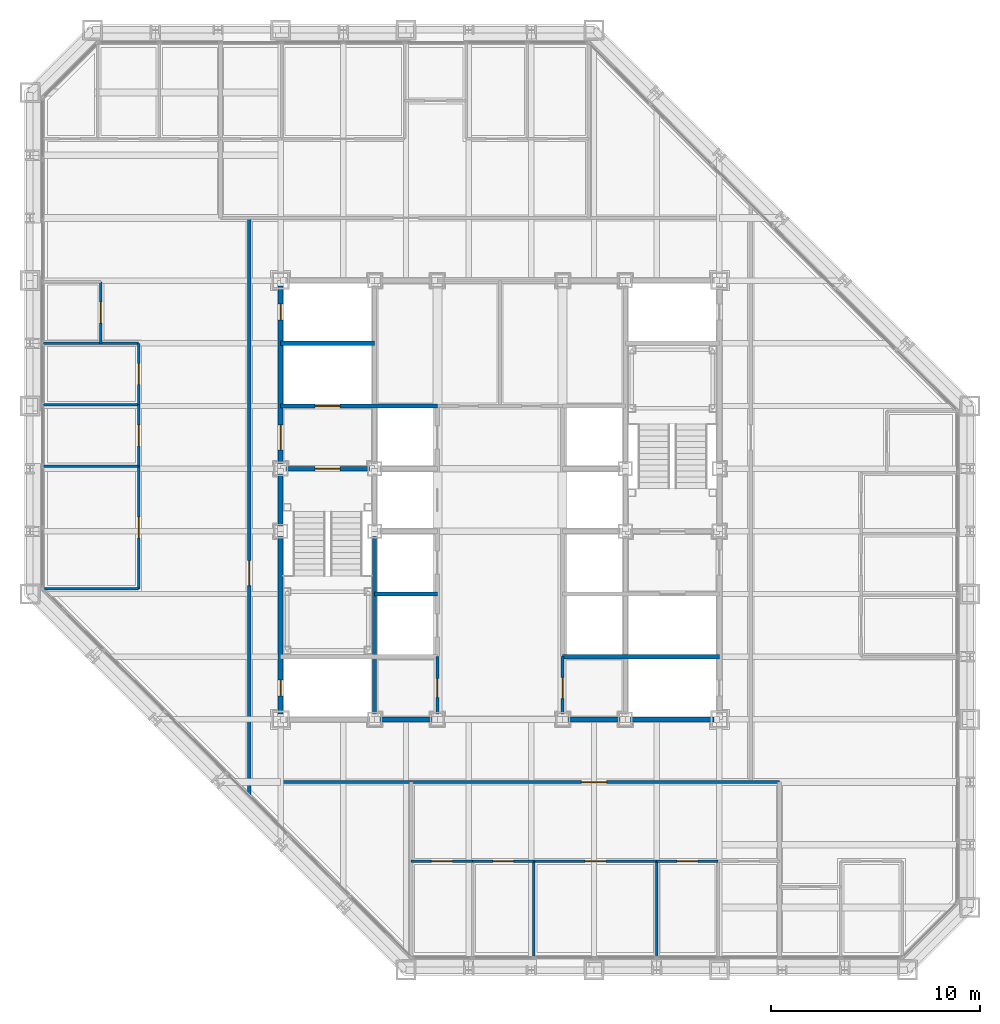
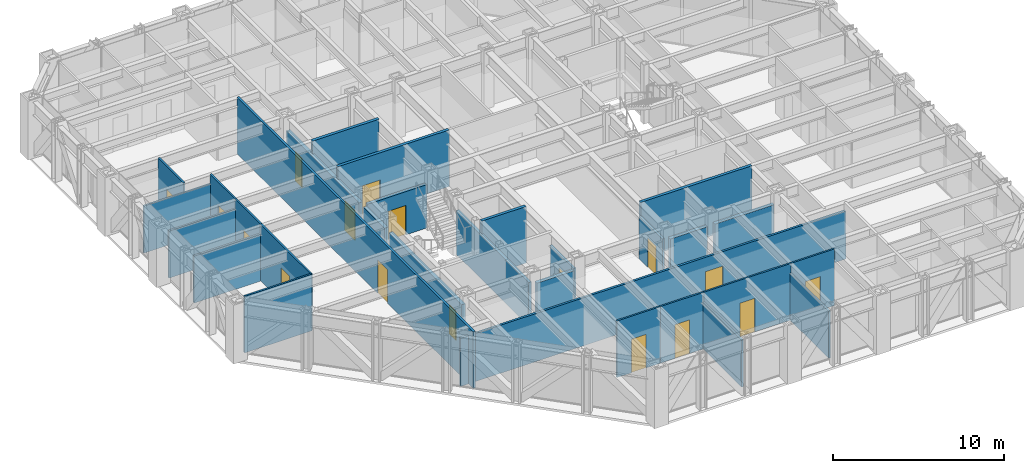
# One storey, part 10 of 16: 30 walls, 17 doors, 17 openings.
"""IFC4 building model written with IfcOpenShell, lengths in metres."""

from ifc_helpers import new_model, si_unit, direction, frame, frame_2d, origin, place, context, subcontext, project, spatial, rectangle, extrude, material, layer, layer_set, type_object, element, fill, save


model = new_model("IFC4")

# Units and contexts
model_context = context("Model", 3, precision=1e-05, world=origin(), true_north=direction((0.0, 1.0)))
body_context = subcontext(model_context, "Body", "Model", "MODEL_VIEW")
ifc_project = project(units=[si_unit("LENGTHUNIT", "METRE"), si_unit("AREAUNIT", "SQUARE_METRE"), si_unit("VOLUMEUNIT", "CUBIC_METRE"), si_unit("PLANEANGLEUNIT", "RADIAN"), si_unit("MASSUNIT", "GRAM", prefix="KILO")], contexts=[model_context])

# Site, building, storey
site_placement = place(None, origin())
site = spatial("IfcSite", under=ifc_project, at=site_placement, CompositionType="ELEMENT")
building_placement = place(site_placement, origin())
building = spatial("IfcBuilding", under=site, at=building_placement, Name="Chuquiago Exchange Tower", CompositionType="ELEMENT")
storey_placement = place(building_placement, frame((0.0, 0.0, 111.0)))
storey = spatial("IfcBuildingStorey", under=building, at=storey_placement, Name="L23", CompositionType="ELEMENT", Elevation=111.0)

# Wall, opening, door
ifc_material_1 = material(Name="Concrete masonry, fully grouted", Category="masonry")
ifc_layer_1 = layer(ifc_material_1, 0.25)
ifc_layer_set_1 = layer_set([ifc_layer_1], Name="W1 core wall 250")
wall_type_1 = type_object("IfcWallType", Name="W1 core wall 250", PredefinedType="SOLIDWALL", material=ifc_layer_set_1)
wall_1_placement = place(storey_placement, frame((12.0, 12.25, 0.0), z_axis=(0.0, 0.0, 1.0), x_axis=(0.0, 1.0, 0.0)))
wall_1 = element("IfcWall", 1, at=wall_1_placement, inside=storey, type_object=wall_type_1, Name="CW-L23-00-0", PredefinedType="SOLIDWALL", context=body_context, shape_type="SweptSolid", body=[
    extrude(rectangle(XDim=8.5, YDim=0.25, at=frame_2d((4.25, 0.0))), origin(), (0.0, 0.0, 1.0), 3.11279296875),
])
opening_1_placement = place(wall_1_placement, frame((0.875, 0.0, 0.0)))
opening_1 = element("IfcOpeningElement", 2, at=opening_1_placement, cuts=wall_1, Name="Opening L23-007", PredefinedType="OPENING", context=body_context, shape_type="SweptSolid", body=[
    extrude(rectangle(XDim=0.75, YDim=2.10009765625, at=frame_2d((0.375, 1.050048828125))), frame((0.0, 0.135009765625, 0.0), z_axis=(0.0, -1.0, 0.0), x_axis=(1.0, 0.0, 0.0)), (0.0, 0.0, 1.0), 0.27001953125),
])
ifc_material_2 = material(Name="Steel door, painted", Category="steel")
door_type_1 = type_object("IfcDoorType", Name="D6 riser access door 750x2100", OperationType="SINGLE_SWING_LEFT", PredefinedType="DOOR", material=ifc_material_2)
door_1_placement = place(opening_1_placement, frame((0.75, 0.0, 0.0), z_axis=(0.0, 0.0, 1.0), x_axis=(-1.0, 0.0, 0.0)))
door_1 = element("IfcDoor", 3, at=door_1_placement, inside=storey, type_object=door_type_1, Name="Riser RW1 door", OperationType="SINGLE_SWING_RIGHT", OverallHeight=2.10009765625, OverallWidth=0.75, PredefinedType="DOOR", context=body_context, shape_type="SweptSolid", body=[
    extrude(rectangle(XDim=0.75, YDim=2.10009765625, at=frame_2d((0.375, 1.050048828125))), frame((0.0, 0.02490234375, 0.0), z_axis=(0.0, -1.0, 0.0), x_axis=(1.0, 0.0, 0.0)), (0.0, 0.0, 1.0), 0.050048828125),
])
fill(opening_1, door_1)

# Wall
wall_2_placement = place(storey_placement, frame((12.0, 21.25, 0.0), z_axis=(0.0, 0.0, 1.0), x_axis=(0.0, 1.0, 0.0)))
element("IfcWall", 4, at=wall_2_placement, inside=storey, type_object=wall_type_1, Name="CW-L23-00-1", PredefinedType="SOLIDWALL", context=body_context, shape_type="SweptSolid", body=[
    extrude(rectangle(XDim=2.5, YDim=0.25, at=frame_2d((1.25, 0.0))), origin(), (0.0, 0.0, 1.0), 3.11279296875),
])

# Wall, openings, doors
wall_3_placement = place(storey_placement, frame((12.0, 24.25, 0.0), z_axis=(0.0, 0.0, 1.0), x_axis=(0.0, 1.0, 0.0)))
wall_3 = element("IfcWall", 5, at=wall_3_placement, inside=storey, type_object=wall_type_1, Name="CW-L23-00-2", PredefinedType="SOLIDWALL", context=body_context, shape_type="SweptSolid", body=[
    extrude(rectangle(XDim=8.5, YDim=0.25, at=frame_2d((4.25, 0.0))), origin(), (0.0, 0.0, 1.0), 3.11279296875),
])
opening_2_placement = place(wall_3_placement, frame((0.64990234375, 0.0, 0.0)))
opening_2 = element("IfcOpeningElement", 6, at=opening_2_placement, cuts=wall_3, Name="Opening L23-002", PredefinedType="OPENING", context=body_context, shape_type="SweptSolid", body=[
    extrude(rectangle(XDim=1.199951171875, YDim=2.10009765625, at=frame_2d((0.60009765625, 1.050048828125))), frame((0.0, 0.135009765625, 0.0), z_axis=(0.0, -1.0, 0.0), x_axis=(1.0, 0.0, 0.0)), (0.0, 0.0, 1.0), 0.27001953125),
])
opening_3_placement = place(wall_3_placement, frame((6.875, 0.0, 0.0)))
opening_3 = element("IfcOpeningElement", 7, at=opening_3_placement, cuts=wall_3, Name="Opening L23-008", PredefinedType="OPENING", context=body_context, shape_type="SweptSolid", body=[
    extrude(rectangle(XDim=0.75, YDim=2.10009765625, at=frame_2d((0.375, 1.050048828125))), frame((0.0, 0.135009765625, 0.0), z_axis=(0.0, -1.0, 0.0), x_axis=(1.0, 0.0, 0.0)), (0.0, 0.0, 1.0), 0.27001953125),
])
ifc_material_3 = material(Name="Steel door, painted", Category="steel")
door_type_2 = type_object("IfcDoorType", Name="D5 firefighting lobby door 1200x2100", OperationType="SINGLE_SWING_LEFT", PredefinedType="DOOR", material=ifc_material_3)
door_2_placement = place(opening_2_placement, frame((1.199951171875, 0.0, 0.0), z_axis=(0.0, 0.0, 1.0), x_axis=(-1.0, 0.0, 0.0)))
door_2 = element("IfcDoor", 8, at=door_2_placement, inside=storey, type_object=door_type_2, Name="Firefighting lobby 1 door", OperationType="SINGLE_SWING_RIGHT", OverallHeight=2.10009765625, OverallWidth=1.199951171875, PredefinedType="DOOR", context=body_context, shape_type="SweptSolid", body=[
    extrude(rectangle(XDim=1.199951171875, YDim=2.10009765625, at=frame_2d((0.60009765625, 1.050048828125))), frame((0.0, 0.02490234375, 0.0), z_axis=(0.0, -1.0, 0.0), x_axis=(1.0, 0.0, 0.0)), (0.0, 0.0, 1.0), 0.050048828125),
])
fill(opening_2, door_2)
door_3_placement = place(opening_3_placement, frame((0.75, 0.0, 0.0), z_axis=(0.0, 0.0, 1.0), x_axis=(-1.0, 0.0, 0.0)))
door_3 = element("IfcDoor", 9, at=door_3_placement, inside=storey, type_object=door_type_1, Name="Riser RW2 door", OperationType="SINGLE_SWING_LEFT", OverallHeight=2.10009765625, OverallWidth=0.75, PredefinedType="DOOR", context=body_context, shape_type="SweptSolid", body=[
    extrude(rectangle(XDim=0.75, YDim=2.10009765625, at=frame_2d((0.375, 1.050048828125))), frame((0.0, 0.02490234375, 0.0), z_axis=(0.0, -1.0, 0.0), x_axis=(1.0, 0.0, 0.0)), (0.0, 0.0, 1.0), 0.050048828125),
])
fill(opening_3, door_3)

# Walls
for number, where, z_axis, x_axis, name in (
    (10, (16.75, 12.0, 0.0), (0.0, 0.0, 1.0), (1.0, 0.0, 0.0), "CW-L23-01-1"),
    (11, (25.75, 12.0, 0.0), (0.0, 0.0, 1.0), (1.0, 0.0, 0.0), "CW-L23-02-0"),
):
    element("IfcWall", number, at=place(storey_placement, frame(where, z_axis=z_axis, x_axis=x_axis)), inside=storey, type_object=wall_type_1, Name=name, PredefinedType="SOLIDWALL", context=body_context, shape_type="SweptSolid", body=[
        extrude(rectangle(XDim=2.5, YDim=0.25, at=frame_2d((1.25, 0.0))), origin(), (0.0, 0.0, 1.0), 3.181396484375),
    ])
wall_4_placement = place(storey_placement, frame((28.75, 12.0, 0.0), z_axis=(0.0, 0.0, 1.0), x_axis=(1.0, 0.0, 0.0)))
element("IfcWall", 12, at=wall_4_placement, inside=storey, type_object=wall_type_1, Name="CW-L23-02-1", PredefinedType="SOLIDWALL", context=body_context, shape_type="SweptSolid", body=[
    extrude(rectangle(XDim=4.0, YDim=0.25, at=frame_2d((2.0, 0.0))), origin(), (0.0, 0.0, 1.0), 3.181396484375),
])

# Wall, opening, door
ifc_material_4 = material(Name="Gypsum board on steel studs, acoustic insulation", Category="steel")
ifc_layer_2 = layer(ifc_material_4, 0.14990234375)
ifc_layer_set_2 = layer_set([ifc_layer_2], Name="W11 corridor wall 150")
wall_type_2 = type_object("IfcWallType", Name="W11 corridor wall 150", PredefinedType="PARTITIONING", material=ifc_layer_set_2)
wall_5_placement = place(storey_placement, frame((9.885498046875, 9.0, 0.0), z_axis=(0.0, 0.0, 1.0), x_axis=(1.0, 0.0, 0.0)))
wall_5 = element("IfcWall", 13, at=wall_5_placement, inside=storey, type_object=wall_type_2, Name="PW-L23-CS", PredefinedType="PARTITIONING", context=body_context, shape_type="SweptSolid", body=[
    extrude(rectangle(XDim=25.990234375, YDim=0.14990234375, at=frame_2d((12.9951171875, 0.0))), origin(), (0.0, 0.0, 1.0), 3.427734375),
])
opening_4_placement = place(wall_5_placement, frame((16.514404296875, 0.0, 0.0)))
opening_4 = element("IfcOpeningElement", 14, at=opening_4_placement, cuts=wall_5, Name="Opening L23-042", PredefinedType="OPENING", context=body_context, shape_type="SweptSolid", body=[
    extrude(rectangle(XDim=1.199951171875, YDim=2.39990234375, at=frame_2d((0.60009765625, 1.199951171875))), frame((0.0, 0.0849609375, 0.0), z_axis=(0.0, -1.0, 0.0), x_axis=(1.0, 0.0, 0.0)), (0.0, 0.0, 1.0), 0.169921875),
])
ifc_material_5 = material(Name="Timber door, laminate faced", Category="wood")
door_type_3 = type_object("IfcDoorType", Name="D13 suite entrance door 1200x2400", OperationType="SINGLE_SWING_LEFT", PredefinedType="DOOR", material=ifc_material_5)
door_4_placement = place(opening_4_placement, frame((1.199951171875, 0.0, 0.0), z_axis=(0.0, 0.0, 1.0), x_axis=(-1.0, 0.0, 0.0)))
door_4 = element("IfcDoor", 15, at=door_4_placement, inside=storey, type_object=door_type_3, Name="South suite entrance door", OperationType="SINGLE_SWING_LEFT", OverallHeight=2.39990234375, OverallWidth=1.199951171875, PredefinedType="DOOR", context=body_context, shape_type="SweptSolid", body=[
    extrude(rectangle(XDim=1.199951171875, YDim=2.39990234375, at=frame_2d((0.60009765625, 1.199951171875))), frame((0.0, 0.02490234375, 0.0), z_axis=(0.0, -1.0, 0.0), x_axis=(1.0, 0.0, 0.0)), (0.0, 0.0, 1.0), 0.050048828125),
])
fill(opening_4, door_4)

wall_6_placement = place(storey_placement, frame((10.5, 8.385498046875, 0.0), z_axis=(0.0, 0.0, 1.0), x_axis=(0.0, 1.0, 0.0)))
wall_6 = element("IfcWall", 16, at=wall_6_placement, inside=storey, type_object=wall_type_2, Name="PW-L23-CW", PredefinedType="PARTITIONING", context=body_context, shape_type="SweptSolid", body=[
    extrude(rectangle(XDim=27.614501953125, YDim=0.14990234375, at=frame_2d((13.80712890625, 0.0))), origin(), (0.0, 0.0, 1.0), 4.0400390625),
])
opening_5_placement = place(wall_6_placement, frame((10.014404296875, 0.0, 0.0)))
opening_5 = element("IfcOpeningElement", 17, at=opening_5_placement, cuts=wall_6, Name="Opening L23-044", PredefinedType="OPENING", context=body_context, shape_type="SweptSolid", body=[
    extrude(rectangle(XDim=1.199951171875, YDim=2.39990234375, at=frame_2d((0.60009765625, 1.199951171875))), frame((0.0, 0.0849609375, 0.0), z_axis=(0.0, -1.0, 0.0), x_axis=(1.0, 0.0, 0.0)), (0.0, 0.0, 1.0), 0.169921875),
])
door_5_placement = place(opening_5_placement, origin())
door_5 = element("IfcDoor", 18, at=door_5_placement, inside=storey, type_object=door_type_3, Name="West suite entrance door", OperationType="SINGLE_SWING_LEFT", OverallHeight=2.39990234375, OverallWidth=1.199951171875, PredefinedType="DOOR", context=body_context, shape_type="SweptSolid", body=[
    extrude(rectangle(XDim=1.199951171875, YDim=2.39990234375, at=frame_2d((0.60009765625, 1.199951171875))), frame((0.0, 0.02490234375, 0.0), z_axis=(0.0, -1.0, 0.0), x_axis=(1.0, 0.0, 0.0)), (0.0, 0.0, 1.0), 0.050048828125),
])
fill(opening_5, door_5)

# Wall
ifc_material_6 = material(Name="Concrete masonry, fully grouted", Category="masonry")
ifc_layer_3 = layer(ifc_material_6, 0.199951171875)
ifc_layer_set_3 = layer_set([ifc_layer_3], Name="W2 shaft wall 200")
wall_type_3 = type_object("IfcWallType", Name="W2 shaft wall 200", PredefinedType="SOLIDWALL", material=ifc_layer_set_3)
wall_7_placement = place(storey_placement, frame((25.5, 15.0, 0.0), z_axis=(0.0, 0.0, 1.0), x_axis=(1.0, 0.0, 0.0)))
element("IfcWall", 19, at=wall_7_placement, inside=storey, type_object=wall_type_3, Name="CW-L23-04-0", PredefinedType="SOLIDWALL", context=body_context, shape_type="SweptSolid", body=[
    extrude(rectangle(XDim=7.5, YDim=0.199951171875, at=frame_2d((3.75, 0.0))), origin(), (0.0, 0.0, 1.0), 4.0400390625),
])

# Wall, opening, door
wall_8_placement = place(storey_placement, frame((12.25, 24.0, 0.0), z_axis=(0.0, 0.0, 1.0), x_axis=(1.0, 0.0, 0.0)))
wall_8 = element("IfcWall", 20, at=wall_8_placement, inside=storey, type_object=wall_type_3, Name="CW-L23-05-0", PredefinedType="SOLIDWALL", context=body_context, shape_type="SweptSolid", body=[
    extrude(rectangle(XDim=4.0, YDim=0.199951171875, at=frame_2d((2.0, 0.0))), origin(), (0.0, 0.0, 1.0), 3.090087890625),
])
opening_6_placement = place(wall_8_placement, frame((1.39990234375, 0.0, 0.0)))
opening_6 = element("IfcOpeningElement", 21, at=opening_6_placement, cuts=wall_8, Name="Opening L23-001", PredefinedType="OPENING", context=body_context, shape_type="SweptSolid", body=[
    extrude(rectangle(XDim=1.199951171875, YDim=2.10009765625, at=frame_2d((0.60009765625, 1.050048828125))), frame((0.0, 0.10986328125, 0.0), z_axis=(0.0, -1.0, 0.0), x_axis=(1.0, 0.0, 0.0)), (0.0, 0.0, 1.0), 0.219970703125),
])
ifc_material_7 = material(Name="Steel door, painted", Category="steel")
door_type_4 = type_object("IfcDoorType", Name="D4 stair door 1200x2100", OperationType="SINGLE_SWING_LEFT", PredefinedType="DOOR", material=ifc_material_7)
door_6_placement = place(opening_6_placement, frame((1.199951171875, 0.0, 0.0), z_axis=(0.0, 0.0, 1.0), x_axis=(-1.0, 0.0, 0.0)))
door_6 = element("IfcDoor", 22, at=door_6_placement, inside=storey, type_object=door_type_4, Name="Stair ST1 door", OperationType="SINGLE_SWING_RIGHT", OverallHeight=2.10009765625, OverallWidth=1.199951171875, PredefinedType="DOOR", context=body_context, shape_type="SweptSolid", body=[
    extrude(rectangle(XDim=1.199951171875, YDim=2.10009765625, at=frame_2d((0.60009765625, 1.050048828125))), frame((0.0, 0.02490234375, 0.0), z_axis=(0.0, -1.0, 0.0), x_axis=(1.0, 0.0, 0.0)), (0.0, 0.0, 1.0), 0.050048828125),
])
fill(opening_6, door_6)

wall_9_placement = place(storey_placement, frame((12.0, 27.0, 0.0), z_axis=(0.0, 0.0, 1.0), x_axis=(1.0, 0.0, 0.0)))
wall_9 = element("IfcWall", 23, at=wall_9_placement, inside=storey, type_object=wall_type_3, Name="CW-L23-07-0", PredefinedType="SOLIDWALL", context=body_context, shape_type="SweptSolid", body=[
    extrude(rectangle(XDim=7.5, YDim=0.199951171875, at=frame_2d((3.75, 0.0))), origin(), (0.0, 0.0, 1.0), 4.0400390625),
])
opening_7_placement = place(wall_9_placement, frame((1.64990234375, 0.0, 0.0)))
opening_7 = element("IfcOpeningElement", 24, at=opening_7_placement, cuts=wall_9, Name="Opening L23-005", PredefinedType="OPENING", context=body_context, shape_type="SweptSolid", body=[
    extrude(rectangle(XDim=1.199951171875, YDim=2.10009765625, at=frame_2d((0.60009765625, 1.050048828125))), frame((0.0, 0.10986328125, 0.0), z_axis=(0.0, -1.0, 0.0), x_axis=(1.0, 0.0, 0.0)), (0.0, 0.0, 1.0), 0.219970703125),
])
ifc_material_8 = material(Name="Stainless steel lift landing door", Category="steel")
door_type_5 = type_object("IfcDoorType", Name="LD2 firefighting lift landing door 1200x2100", OperationType="DOUBLE_DOOR_SLIDING", PredefinedType="DOOR", material=ifc_material_8)
door_7_placement = place(opening_7_placement, origin())
door_7 = element("IfcDoor", 25, at=door_7_placement, inside=storey, type_object=door_type_5, Name="Firefighting lift FL1 landing door", OperationType="DOUBLE_DOOR_SLIDING", OverallHeight=2.10009765625, OverallWidth=1.199951171875, PredefinedType="DOOR", context=body_context, shape_type="SweptSolid", body=[
    extrude(rectangle(XDim=1.199951171875, YDim=2.10009765625, at=frame_2d((0.60009765625, 1.050048828125))), frame((0.0, 0.02490234375, 0.0), z_axis=(0.0, -1.0, 0.0), x_axis=(1.0, 0.0, 0.0)), (0.0, 0.0, 1.0), 0.050048828125),
])
fill(opening_7, door_7)

# Walls
wall_10_placement = place(storey_placement, frame((12.0, 30.0, 0.0), z_axis=(0.0, 0.0, 1.0), x_axis=(1.0, 0.0, 0.0)))
element("IfcWall", 26, at=wall_10_placement, inside=storey, type_object=wall_type_3, Name="CW-L23-09-0", PredefinedType="SOLIDWALL", context=body_context, shape_type="SweptSolid", body=[
    extrude(rectangle(XDim=4.5, YDim=0.199951171875, at=frame_2d((2.25, 0.0))), origin(), (0.0, 0.0, 1.0), 4.0400390625),
])
wall_11_placement = place(storey_placement, frame((16.5, 12.25, 0.0), z_axis=(0.0, 0.0, 1.0), x_axis=(0.0, 1.0, 0.0)))
element("IfcWall", 27, at=wall_11_placement, inside=storey, type_object=wall_type_3, Name="CW-L23-13-0", PredefinedType="SOLIDWALL", context=body_context, shape_type="SweptSolid", body=[
    extrude(rectangle(XDim=8.5, YDim=0.199951171875, at=frame_2d((4.25, 0.0))), origin(), (0.0, 0.0, 1.0), 3.11279296875),
])
wall_12_placement = place(storey_placement, frame((16.5, 18.0, 0.0), z_axis=(0.0, 0.0, 1.0), x_axis=(1.0, 0.0, 0.0)))
element("IfcWall", 28, at=wall_12_placement, inside=storey, type_object=wall_type_3, Name="CW-L23-14-0", PredefinedType="SOLIDWALL", context=body_context, shape_type="SweptSolid", body=[
    extrude(rectangle(XDim=3.0, YDim=0.199951171875, at=frame_2d((1.5, 0.0))), origin(), (0.0, 0.0, 1.0), 4.0400390625),
])

# Wall, opening, door
ifc_material_9 = material(Name="Gypsum board on steel studs", Category="steel")
ifc_layer_4 = layer(ifc_material_9, 0.14990234375)
ifc_layer_set_4 = layer_set([ifc_layer_4], Name="W3 core partition 150")
wall_type_4 = type_object("IfcWallType", Name="W3 core partition 150", PredefinedType="PARTITIONING", material=ifc_layer_set_4)
wall_13_placement = place(storey_placement, frame((19.5, 12.25, 0.0), z_axis=(0.0, 0.0, 1.0), x_axis=(0.0, 1.0, 0.0)))
wall_13 = element("IfcWall", 29, at=wall_13_placement, inside=storey, type_object=wall_type_4, Name="CW-L23-18-0", PredefinedType="PARTITIONING", context=body_context, shape_type="SweptSolid", body=[
    extrude(rectangle(XDim=2.75, YDim=0.14990234375, at=frame_2d((1.375, 0.0))), origin(), (0.0, 0.0, 1.0), 3.064697265625),
])
opening_8_placement = place(wall_13_placement, frame((0.800048828125, 0.0, 0.0)))
opening_8 = element("IfcOpeningElement", 30, at=opening_8_placement, cuts=wall_13, Name="Opening L23-014", PredefinedType="OPENING", context=body_context, shape_type="SweptSolid", body=[
    extrude(rectangle(XDim=0.89990234375, YDim=2.10009765625, at=frame_2d((0.449951171875, 1.050048828125))), frame((0.0, 0.0849609375, 0.0), z_axis=(0.0, -1.0, 0.0), x_axis=(1.0, 0.0, 0.0)), (0.0, 0.0, 1.0), 0.169921875),
])
ifc_material_10 = material(Name="Timber door, laminate faced", Category="wood")
door_type_6 = type_object("IfcDoorType", Name="D7 toilet door 900x2100", OperationType="SINGLE_SWING_LEFT", PredefinedType="DOOR", material=ifc_material_10)
door_8_placement = place(opening_8_placement, frame((0.89990234375, 0.0, 0.0), z_axis=(0.0, 0.0, 1.0), x_axis=(-1.0, 0.0, 0.0)))
door_8 = element("IfcDoor", 31, at=door_8_placement, inside=storey, type_object=door_type_6, Name="Cleaner door", OperationType="SINGLE_SWING_RIGHT", OverallHeight=2.10009765625, OverallWidth=0.89990234375, PredefinedType="DOOR", context=body_context, shape_type="SweptSolid", body=[
    extrude(rectangle(XDim=0.89990234375, YDim=2.10009765625, at=frame_2d((0.449951171875, 1.050048828125))), frame((0.0, 0.02490234375, 0.0), z_axis=(0.0, -1.0, 0.0), x_axis=(1.0, 0.0, 0.0)), (0.0, 0.0, 1.0), 0.050048828125),
])
fill(opening_8, door_8)

wall_14_placement = place(storey_placement, frame((25.5, 12.25, 0.0), z_axis=(0.0, 0.0, 1.0), x_axis=(0.0, 1.0, 0.0)))
wall_14 = element("IfcWall", 32, at=wall_14_placement, inside=storey, type_object=wall_type_4, Name="CW-L23-21-0", PredefinedType="PARTITIONING", context=body_context, shape_type="SweptSolid", body=[
    extrude(rectangle(XDim=2.75, YDim=0.14990234375, at=frame_2d((1.375, 0.0))), origin(), (0.0, 0.0, 1.0), 3.064697265625),
])
opening_9_placement = place(wall_14_placement, frame((0.75, 0.0, 0.0)))
opening_9 = element("IfcOpeningElement", 33, at=opening_9_placement, cuts=wall_14, Name="Opening L23-013", PredefinedType="OPENING", context=body_context, shape_type="SweptSolid", body=[
    extrude(rectangle(XDim=1.0, YDim=2.10009765625, at=frame_2d((0.5, 1.050048828125))), frame((0.0, 0.0849609375, 0.0), z_axis=(0.0, -1.0, 0.0), x_axis=(1.0, 0.0, 0.0)), (0.0, 0.0, 1.0), 0.169921875),
])
ifc_material_11 = material(Name="Timber door, laminate faced", Category="wood")
door_type_7 = type_object("IfcDoorType", Name="D8 accessible toilet door 1000x2100", OperationType="SLIDING_TO_LEFT", PredefinedType="DOOR", material=ifc_material_11)
door_9_placement = place(opening_9_placement, origin())
door_9 = element("IfcDoor", 34, at=door_9_placement, inside=storey, type_object=door_type_7, Name="Accessible WC door", OperationType="SLIDING_TO_LEFT", OverallHeight=2.10009765625, OverallWidth=1.0, PredefinedType="DOOR", context=body_context, shape_type="SweptSolid", body=[
    extrude(rectangle(XDim=1.0, YDim=2.10009765625, at=frame_2d((0.5, 1.050048828125))), frame((0.0, 0.02490234375, 0.0), z_axis=(0.0, -1.0, 0.0), x_axis=(1.0, 0.0, 0.0)), (0.0, 0.0, 1.0), 0.050048828125),
])
fill(opening_9, door_9)

# Walls
ifc_material_12 = material(Name="Gypsum board on steel studs", Category="steel")
ifc_layer_5 = layer(ifc_material_12, 0.1201171875)
ifc_layer_set_5 = layer_set([ifc_layer_5], Name="W4 partition 120")
wall_type_5 = type_object("IfcWallType", Name="W4 partition 120", PredefinedType="PARTITIONING", material=ifc_layer_set_5)
for number, where, z_axis, x_axis, name in (
    (35, (24.124267578125, 0.652587890625, 0.0), (0.0, 0.0, 1.0), (0.0, 1.0, 0.0), "PW-L23-S02412"),
    (36, (30.0, 0.652587890625, 0.0), (0.0, 0.0, 1.0), (0.0, 1.0, 0.0), "PW-L23-S03000"),
):
    element("IfcWall", number, at=place(storey_placement, frame(where, z_axis=z_axis, x_axis=x_axis)), inside=storey, type_object=wall_type_5, Name=name, PredefinedType="PARTITIONING", context=body_context, shape_type="SweptSolid", body=[
        extrude(rectangle(XDim=4.54736328125, YDim=0.1201171875, at=frame_2d((2.273681640625, 0.0))), origin(), (0.0, 0.0, 1.0), 3.356689453125),
    ])

# Wall, opening, door
wall_15_placement = place(storey_placement, frame((18.24853515625, 5.199951171875, 0.0), z_axis=(0.0, 0.0, 1.0), x_axis=(1.0, 0.0, 0.0)))
wall_15 = element("IfcWall", 37, at=wall_15_placement, inside=storey, type_object=wall_type_5, Name="PW-L23-SF01825", PredefinedType="PARTITIONING", context=body_context, shape_type="SweptSolid", body=[
    extrude(rectangle(XDim=2.937744140625, YDim=0.1201171875, at=frame_2d((1.46875, 0.0))), origin(), (0.0, 0.0, 1.0), 4.0400390625),
])
opening_10_placement = place(wall_15_placement, frame((0.968994140625, 0.0, 0.0)))
opening_10 = element("IfcOpeningElement", 38, at=opening_10_placement, cuts=wall_15, Name="Opening L23-019", PredefinedType="OPENING", context=body_context, shape_type="SweptSolid", body=[
    extrude(rectangle(XDim=1.0, YDim=2.39990234375, at=frame_2d((0.5, 1.199951171875))), frame((0.0, 0.070068359375, 0.0), z_axis=(0.0, -1.0, 0.0), x_axis=(1.0, 0.0, 0.0)), (0.0, 0.0, 1.0), 0.14013671875),
])
ifc_material_13 = material(Name="Timber door, laminate faced", Category="wood")
door_type_8 = type_object("IfcDoorType", Name="D9 room door 1000x2400", OperationType="SINGLE_SWING_LEFT", PredefinedType="DOOR", material=ifc_material_13)
door_10_placement = place(opening_10_placement, frame((1.0, 0.0, 0.0), z_axis=(0.0, 0.0, 1.0), x_axis=(-1.0, 0.0, 0.0)))
door_10 = element("IfcDoor", 39, at=door_10_placement, inside=storey, type_object=door_type_8, Name="Office door", OperationType="SINGLE_SWING_RIGHT", OverallHeight=2.39990234375, OverallWidth=1.0, PredefinedType="DOOR", context=body_context, shape_type="SweptSolid", body=[
    extrude(rectangle(XDim=1.0, YDim=2.39990234375, at=frame_2d((0.5, 1.199951171875))), frame((0.0, 0.02490234375, 0.0), z_axis=(0.0, -1.0, 0.0), x_axis=(1.0, 0.0, 0.0)), (0.0, 0.0, 1.0), 0.050048828125),
])
fill(opening_10, door_10)

wall_16_placement = place(storey_placement, frame((21.186279296875, 5.199951171875, 0.0), z_axis=(0.0, 0.0, 1.0), x_axis=(1.0, 0.0, 0.0)))
wall_16 = element("IfcWall", 40, at=wall_16_placement, inside=storey, type_object=wall_type_5, Name="PW-L23-SF02119", PredefinedType="PARTITIONING", context=body_context, shape_type="SweptSolid", body=[
    extrude(rectangle(XDim=2.93798828125, YDim=0.1201171875, at=frame_2d((1.468994140625, 0.0))), origin(), (0.0, 0.0, 1.0), 4.0400390625),
])
opening_11_placement = place(wall_16_placement, frame((0.968994140625, 0.0, 0.0)))
opening_11 = element("IfcOpeningElement", 41, at=opening_11_placement, cuts=wall_16, Name="Opening L23-020", PredefinedType="OPENING", context=body_context, shape_type="SweptSolid", body=[
    extrude(rectangle(XDim=1.0, YDim=2.39990234375, at=frame_2d((0.5, 1.199951171875))), frame((0.0, 0.070068359375, 0.0), z_axis=(0.0, -1.0, 0.0), x_axis=(1.0, 0.0, 0.0)), (0.0, 0.0, 1.0), 0.14013671875),
])
door_11_placement = place(opening_11_placement, frame((1.0, 0.0, 0.0), z_axis=(0.0, 0.0, 1.0), x_axis=(-1.0, 0.0, 0.0)))
door_11 = element("IfcDoor", 42, at=door_11_placement, inside=storey, type_object=door_type_8, Name="Office door", OperationType="SINGLE_SWING_LEFT", OverallHeight=2.39990234375, OverallWidth=1.0, PredefinedType="DOOR", context=body_context, shape_type="SweptSolid", body=[
    extrude(rectangle(XDim=1.0, YDim=2.39990234375, at=frame_2d((0.5, 1.199951171875))), frame((0.0, 0.02490234375, 0.0), z_axis=(0.0, -1.0, 0.0), x_axis=(1.0, 0.0, 0.0)), (0.0, 0.0, 1.0), 0.050048828125),
])
fill(opening_11, door_11)

wall_17_placement = place(storey_placement, frame((24.124267578125, 5.199951171875, 0.0), z_axis=(0.0, 0.0, 1.0), x_axis=(1.0, 0.0, 0.0)))
wall_17 = element("IfcWall", 43, at=wall_17_placement, inside=storey, type_object=wall_type_5, Name="PW-L23-SF02412", PredefinedType="PARTITIONING", context=body_context, shape_type="SweptSolid", body=[
    extrude(rectangle(XDim=5.875732421875, YDim=0.1201171875, at=frame_2d((2.93798828125, 0.0))), origin(), (0.0, 0.0, 1.0), 4.0400390625),
])
opening_12_placement = place(wall_17_placement, frame((2.437744140625, 0.0, 0.0)))
opening_12 = element("IfcOpeningElement", 44, at=opening_12_placement, cuts=wall_17, Name="Opening L23-021", PredefinedType="OPENING", context=body_context, shape_type="SweptSolid", body=[
    extrude(rectangle(XDim=1.0, YDim=2.39990234375, at=frame_2d((0.5, 1.199951171875))), frame((0.0, 0.070068359375, 0.0), z_axis=(0.0, -1.0, 0.0), x_axis=(1.0, 0.0, 0.0)), (0.0, 0.0, 1.0), 0.14013671875),
])
ifc_material_14 = material(Name="Timber frame door, full height glazed panel", Category="wood")
door_type_9 = type_object("IfcDoorType", Name="D14 glazed meeting room door 1000x2400", OperationType="SINGLE_SWING_LEFT", PredefinedType="DOOR", material=ifc_material_14)
door_12_placement = place(opening_12_placement, frame((1.0, 0.0, 0.0), z_axis=(0.0, 0.0, 1.0), x_axis=(-1.0, 0.0, 0.0)))
door_12 = element("IfcDoor", 45, at=door_12_placement, inside=storey, type_object=door_type_9, Name="Meeting room door", OperationType="SINGLE_SWING_RIGHT", OverallHeight=2.39990234375, OverallWidth=1.0, PredefinedType="DOOR", context=body_context, shape_type="SweptSolid", body=[
    extrude(rectangle(XDim=1.0, YDim=2.39990234375, at=frame_2d((0.5, 1.199951171875))), frame((0.0, 0.02490234375, 0.0), z_axis=(0.0, -1.0, 0.0), x_axis=(1.0, 0.0, 0.0)), (0.0, 0.0, 1.0), 0.050048828125),
])
fill(opening_12, door_12)

wall_18_placement = place(storey_placement, frame((30.0, 5.199951171875, 0.0), z_axis=(0.0, 0.0, 1.0), x_axis=(1.0, 0.0, 0.0)))
wall_18 = element("IfcWall", 46, at=wall_18_placement, inside=storey, type_object=wall_type_5, Name="PW-L23-SF03000", PredefinedType="PARTITIONING", context=body_context, shape_type="SweptSolid", body=[
    extrude(rectangle(XDim=2.93798828125, YDim=0.1201171875, at=frame_2d((1.468994140625, 0.0))), origin(), (0.0, 0.0, 1.0), 4.0400390625),
])
opening_13_placement = place(wall_18_placement, frame((0.968994140625, 0.0, 0.0)))
opening_13 = element("IfcOpeningElement", 47, at=opening_13_placement, cuts=wall_18, Name="Opening L23-022", PredefinedType="OPENING", context=body_context, shape_type="SweptSolid", body=[
    extrude(rectangle(XDim=1.0, YDim=2.39990234375, at=frame_2d((0.5, 1.199951171875))), frame((0.0, 0.070068359375, 0.0), z_axis=(0.0, -1.0, 0.0), x_axis=(1.0, 0.0, 0.0)), (0.0, 0.0, 1.0), 0.14013671875),
])
door_13_placement = place(opening_13_placement, frame((1.0, 0.0, 0.0), z_axis=(0.0, 0.0, 1.0), x_axis=(-1.0, 0.0, 0.0)))
door_13 = element("IfcDoor", 48, at=door_13_placement, inside=storey, type_object=door_type_8, Name="Office door", OperationType="SINGLE_SWING_RIGHT", OverallHeight=2.39990234375, OverallWidth=1.0, PredefinedType="DOOR", context=body_context, shape_type="SweptSolid", body=[
    extrude(rectangle(XDim=1.0, YDim=2.39990234375, at=frame_2d((0.5, 1.199951171875))), frame((0.0, 0.02490234375, 0.0), z_axis=(0.0, -1.0, 0.0), x_axis=(1.0, 0.0, 0.0)), (0.0, 0.0, 1.0), 0.050048828125),
])
fill(opening_13, door_13)

# Walls
wall_19_placement = place(storey_placement, frame((0.666015625, 18.24853515625, 0.0), z_axis=(0.0, 0.0, 1.0), x_axis=(1.0, 0.0, 0.0)))
element("IfcWall", 49, at=wall_19_placement, inside=storey, type_object=wall_type_5, Name="PW-L23-W01825", PredefinedType="PARTITIONING", context=body_context, shape_type="SweptSolid", body=[
    extrude(rectangle(XDim=4.533935546875, YDim=0.1201171875, at=frame_2d((2.26708984375, 0.0))), origin(), (0.0, 0.0, 1.0), 4.0400390625),
])
for number, where, z_axis, x_axis, name in (
    (50, (0.652587890625, 24.124267578125, 0.0), (0.0, 0.0, 1.0), (1.0, 0.0, 0.0), "PW-L23-W02412"),
    (51, (0.652587890625, 27.06201171875, 0.0), (0.0, 0.0, 1.0), (1.0, 0.0, 0.0), "PW-L23-W02706"),
    (52, (0.652587890625, 30.0, 0.0), (0.0, 0.0, 1.0), (1.0, 0.0, 0.0), "PW-L23-W03000"),
):
    element("IfcWall", number, at=place(storey_placement, frame(where, z_axis=z_axis, x_axis=x_axis)), inside=storey, type_object=wall_type_5, Name=name, PredefinedType="PARTITIONING", context=body_context, shape_type="SweptSolid", body=[
        extrude(rectangle(XDim=4.54736328125, YDim=0.1201171875, at=frame_2d((2.273681640625, 0.0))), origin(), (0.0, 0.0, 1.0), 3.356689453125),
    ])

# Wall, opening, door
wall_20_placement = place(storey_placement, frame((5.199951171875, 18.24853515625, 0.0), z_axis=(0.0, 0.0, 1.0), x_axis=(0.0, 1.0, 0.0)))
wall_20 = element("IfcWall", 53, at=wall_20_placement, inside=storey, type_object=wall_type_5, Name="PW-L23-WF01825", PredefinedType="PARTITIONING", context=body_context, shape_type="SweptSolid", body=[
    extrude(rectangle(XDim=5.875732421875, YDim=0.1201171875, at=frame_2d((2.93798828125, 0.0))), origin(), (0.0, 0.0, 1.0), 4.0400390625),
])
opening_14_placement = place(wall_20_placement, frame((2.43798828125, 0.0, 0.0)))
opening_14 = element("IfcOpeningElement", 54, at=opening_14_placement, cuts=wall_20, Name="Opening L23-038", PredefinedType="OPENING", context=body_context, shape_type="SweptSolid", body=[
    extrude(rectangle(XDim=1.0, YDim=2.39990234375, at=frame_2d((0.5, 1.199951171875))), frame((0.0, 0.070068359375, 0.0), z_axis=(0.0, -1.0, 0.0), x_axis=(1.0, 0.0, 0.0)), (0.0, 0.0, 1.0), 0.14013671875),
])
door_14_placement = place(opening_14_placement, origin())
door_14 = element("IfcDoor", 55, at=door_14_placement, inside=storey, type_object=door_type_9, Name="Meeting room door", OperationType="SINGLE_SWING_LEFT", OverallHeight=2.39990234375, OverallWidth=1.0, PredefinedType="DOOR", context=body_context, shape_type="SweptSolid", body=[
    extrude(rectangle(XDim=1.0, YDim=2.39990234375, at=frame_2d((0.5, 1.199951171875))), frame((0.0, 0.02490234375, 0.0), z_axis=(0.0, -1.0, 0.0), x_axis=(1.0, 0.0, 0.0)), (0.0, 0.0, 1.0), 0.050048828125),
])
fill(opening_14, door_14)

wall_21_placement = place(storey_placement, frame((5.199951171875, 24.124267578125, 0.0), z_axis=(0.0, 0.0, 1.0), x_axis=(0.0, 1.0, 0.0)))
wall_21 = element("IfcWall", 56, at=wall_21_placement, inside=storey, type_object=wall_type_5, Name="PW-L23-WF02412", PredefinedType="PARTITIONING", context=body_context, shape_type="SweptSolid", body=[
    extrude(rectangle(XDim=2.937744140625, YDim=0.1201171875, at=frame_2d((1.46875, 0.0))), origin(), (0.0, 0.0, 1.0), 4.0400390625),
])
opening_15_placement = place(wall_21_placement, frame((0.968994140625, 0.0, 0.0)))
opening_15 = element("IfcOpeningElement", 57, at=opening_15_placement, cuts=wall_21, Name="Opening L23-039", PredefinedType="OPENING", context=body_context, shape_type="SweptSolid", body=[
    extrude(rectangle(XDim=1.0, YDim=2.39990234375, at=frame_2d((0.5, 1.199951171875))), frame((0.0, 0.070068359375, 0.0), z_axis=(0.0, -1.0, 0.0), x_axis=(1.0, 0.0, 0.0)), (0.0, 0.0, 1.0), 0.14013671875),
])
door_15_placement = place(opening_15_placement, origin())
door_15 = element("IfcDoor", 58, at=door_15_placement, inside=storey, type_object=door_type_8, Name="Office door", OperationType="SINGLE_SWING_RIGHT", OverallHeight=2.39990234375, OverallWidth=1.0, PredefinedType="DOOR", context=body_context, shape_type="SweptSolid", body=[
    extrude(rectangle(XDim=1.0, YDim=2.39990234375, at=frame_2d((0.5, 1.199951171875))), frame((0.0, 0.02490234375, 0.0), z_axis=(0.0, -1.0, 0.0), x_axis=(1.0, 0.0, 0.0)), (0.0, 0.0, 1.0), 0.050048828125),
])
fill(opening_15, door_15)

wall_22_placement = place(storey_placement, frame((5.199951171875, 27.06201171875, 0.0), z_axis=(0.0, 0.0, 1.0), x_axis=(0.0, 1.0, 0.0)))
wall_22 = element("IfcWall", 59, at=wall_22_placement, inside=storey, type_object=wall_type_5, Name="PW-L23-WF02706", PredefinedType="PARTITIONING", context=body_context, shape_type="SweptSolid", body=[
    extrude(rectangle(XDim=2.93798828125, YDim=0.1201171875, at=frame_2d((1.468994140625, 0.0))), origin(), (0.0, 0.0, 1.0), 4.0400390625),
])
opening_16_placement = place(wall_22_placement, frame((0.968994140625, 0.0, 0.0)))
opening_16 = element("IfcOpeningElement", 60, at=opening_16_placement, cuts=wall_22, Name="Opening L23-040", PredefinedType="OPENING", context=body_context, shape_type="SweptSolid", body=[
    extrude(rectangle(XDim=1.0, YDim=2.39990234375, at=frame_2d((0.5, 1.199951171875))), frame((0.0, 0.070068359375, 0.0), z_axis=(0.0, -1.0, 0.0), x_axis=(1.0, 0.0, 0.0)), (0.0, 0.0, 1.0), 0.14013671875),
])
door_16_placement = place(opening_16_placement, origin())
door_16 = element("IfcDoor", 61, at=door_16_placement, inside=storey, type_object=door_type_8, Name="Office door", OperationType="SINGLE_SWING_LEFT", OverallHeight=2.39990234375, OverallWidth=1.0, PredefinedType="DOOR", context=body_context, shape_type="SweptSolid", body=[
    extrude(rectangle(XDim=1.0, YDim=2.39990234375, at=frame_2d((0.5, 1.199951171875))), frame((0.0, 0.02490234375, 0.0), z_axis=(0.0, -1.0, 0.0), x_axis=(1.0, 0.0, 0.0)), (0.0, 0.0, 1.0), 0.050048828125),
])
fill(opening_16, door_16)

wall_23_placement = place(storey_placement, frame((3.39990234375, 30.0, 0.0), z_axis=(0.0, 0.0, 1.0), x_axis=(0.0, 1.0, 0.0)))
wall_23 = element("IfcWall", 62, at=wall_23_placement, inside=storey, type_object=wall_type_5, Name="PW-L23-WF03000", PredefinedType="PARTITIONING", context=body_context, shape_type="SweptSolid", body=[
    extrude(rectangle(XDim=2.93798828125, YDim=0.1201171875, at=frame_2d((1.468994140625, 0.0))), origin(), (0.0, 0.0, 1.0), 4.0400390625),
])
opening_17_placement = place(wall_23_placement, frame((0.968994140625, 0.0, 0.0)))
opening_17 = element("IfcOpeningElement", 63, at=opening_17_placement, cuts=wall_23, Name="Opening L23-041", PredefinedType="OPENING", context=body_context, shape_type="SweptSolid", body=[
    extrude(rectangle(XDim=1.0, YDim=2.39990234375, at=frame_2d((0.5, 1.199951171875))), frame((0.0, 0.070068359375, 0.0), z_axis=(0.0, -1.0, 0.0), x_axis=(1.0, 0.0, 0.0)), (0.0, 0.0, 1.0), 0.14013671875),
])
door_17_placement = place(opening_17_placement, origin())
door_17 = element("IfcDoor", 64, at=door_17_placement, inside=storey, type_object=door_type_9, Name="Focus room door", OperationType="SINGLE_SWING_LEFT", OverallHeight=2.39990234375, OverallWidth=1.0, PredefinedType="DOOR", context=body_context, shape_type="SweptSolid", body=[
    extrude(rectangle(XDim=1.0, YDim=2.39990234375, at=frame_2d((0.5, 1.199951171875))), frame((0.0, 0.02490234375, 0.0), z_axis=(0.0, -1.0, 0.0), x_axis=(1.0, 0.0, 0.0)), (0.0, 0.0, 1.0), 0.050048828125),
])
fill(opening_17, door_17)

save(model, "model.ifc")
